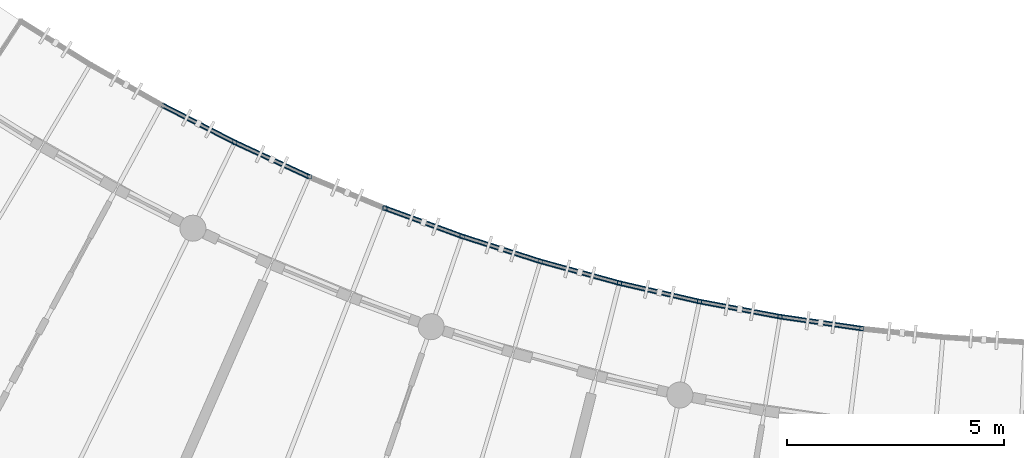
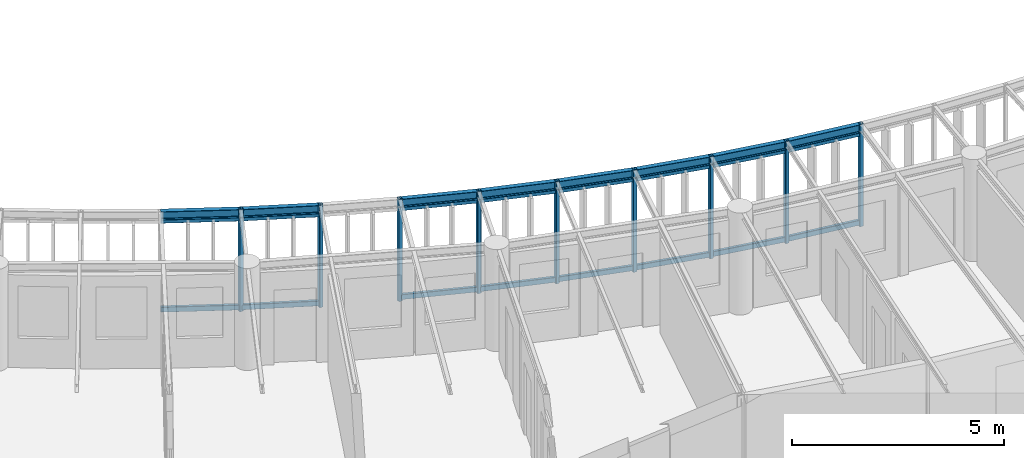
# One storey, part 9 of 101: 25 members, 8 beams.
"""IFC4 building model written with IfcOpenShell, lengths in metres."""

from ifc_helpers import new_model, si_unit, direction, frame, origin, origin_2d, place, context, subcontext, project, spatial, hollow_rectangle, i_section, extrude, material, material_profile, profile_set, type_object, element, save


model = new_model("IFC4")

# Units and contexts
model_context = context("Model", 3, precision=1e-05, world=origin(), true_north=direction((0.0, 1.0)))
body_context = subcontext(model_context, "Body", "Model", "MODEL_VIEW")
ifc_project = project(units=[si_unit("LENGTHUNIT", "METRE"), si_unit("AREAUNIT", "SQUARE_METRE"), si_unit("VOLUMEUNIT", "CUBIC_METRE"), si_unit("PLANEANGLEUNIT", "RADIAN"), si_unit("MASSUNIT", "GRAM", prefix="KILO"), si_unit("POWERUNIT", "WATT"), si_unit("THERMODYNAMICTEMPERATUREUNIT", "KELVIN")], contexts=[model_context])

# Site, building, storey
site_placement = place(None, origin())
site = spatial("IfcSite", under=ifc_project, at=site_placement, CompositionType="ELEMENT")
building_placement = place(site_placement, origin())
building = spatial("IfcBuilding", under=site, at=building_placement, Name="Ruvembo Vaulted Housing Court", CompositionType="ELEMENT")
storey_placement = place(building_placement, frame((0.0, 0.0, 17.300048828125)))
storey = spatial("IfcBuildingStorey", under=building, at=storey_placement, Name="L05", CompositionType="ELEMENT", Elevation=17.300048828125)

# Beams
ifc_material = material(Name="Steel S355J2", Category="steel")
ifc_material_profile_1 = material_profile(ifc_material, i_section(OverallWidth=0.1201171875, OverallDepth=0.239990234375, WebThickness=0.006103515625, FlangeThickness=0.009765625, FilletRadius=0.014892578125, at=origin_2d()), Name="IPE 240")
ifc_profile_set_1 = profile_set([ifc_material_profile_1], Name="Steel S355J2")
beam_type = type_object("IfcBeamType", Name="BM-ST-IPE240", PredefinedType="BEAM", material=ifc_profile_set_1)
for number, where, z_axis, x_axis, name in (
    (1, (47.241943359375, 21.6982421875, 2.81201171875), (0.889568437347, -0.45680192127, 0.0), (0.45680192127, 0.889568437347, 0.0), "Scoop SC2 L05 Balcony Edge Spandrel 2"),
    (2, (48.922607421875, 20.835205078125, 2.81201171875), (0.907656578832, -0.419713634403, 0.0), (0.419713634403, 0.907656578832, 0.0), "Scoop SC2 L05 Balcony Edge Spandrel 3"),
    (3, (52.38330078125, 19.320556640625, 2.81201171875), (0.939165556371, -0.343464783824, 0.0), (0.343464783824, 0.939165556371, 0.0), "Scoop SC2 L05 Balcony Edge Spandrel 5"),
):
    element("IfcBeam", number, at=place(storey_placement, frame(where, z_axis=z_axis, x_axis=x_axis)), inside=storey, type_object=beam_type, Name=name, PredefinedType="BEAM", context=body_context, shape_type="SweptSolid", body=[
        extrude(i_section(OverallWidth=0.1201171875, OverallDepth=0.239990234375, WebThickness=0.006103515625, FlangeThickness=0.009765625, FilletRadius=0.014892578125, at=origin_2d()), origin(), (0.0, 0.0, 1.0), 1.889404296875),
    ])
beam_1_placement = place(storey_placement, frame((54.15771484375, 18.671630859375, 2.81201171875), z_axis=(0.952526124364, -0.304456864605, 0.0), x_axis=(0.304456864605, 0.952526124364, 0.0)))
element("IfcBeam", 4, at=beam_1_placement, inside=storey, type_object=beam_type, Name="Scoop SC2 L05 Balcony Edge Spandrel 6", PredefinedType="BEAM", context=body_context, shape_type="SweptSolid", body=[
    extrude(i_section(OverallWidth=0.1201171875, OverallDepth=0.239990234375, WebThickness=0.006103515625, FlangeThickness=0.009765625, FilletRadius=0.014892578125, at=origin_2d()), origin(), (0.0, 0.0, 1.0), 1.88916015625),
])
beam_2_placement = place(storey_placement, frame((55.957275390625, 18.096435546875, 2.81201171875), z_axis=(0.964240073493, -0.26503033915, 0.0), x_axis=(0.26503033915, 0.964240073493, 0.0)))
element("IfcBeam", 5, at=beam_2_placement, inside=storey, type_object=beam_type, Name="Scoop SC2 L05 Balcony Edge Spandrel 7", PredefinedType="BEAM", context=body_context, shape_type="SweptSolid", body=[
    extrude(i_section(OverallWidth=0.1201171875, OverallDepth=0.239990234375, WebThickness=0.006103515625, FlangeThickness=0.009765625, FilletRadius=0.014892578125, at=origin_2d()), origin(), (0.0, 0.0, 1.0), 1.889404296875),
])
beam_3_placement = place(storey_placement, frame((57.779052734375, 17.595703125, 2.81201171875), z_axis=(0.974391195695, -0.224859506699, 0.0), x_axis=(0.224859506699, 0.974391195695, 0.0)))
element("IfcBeam", 6, at=beam_3_placement, inside=storey, type_object=beam_type, Name="Scoop SC2 L05 Balcony Edge Spandrel 8", PredefinedType="BEAM", context=body_context, shape_type="SweptSolid", body=[
    extrude(i_section(OverallWidth=0.1201171875, OverallDepth=0.239990234375, WebThickness=0.006103515625, FlangeThickness=0.009765625, FilletRadius=0.014892578125, at=origin_2d()), origin(), (0.0, 0.0, 1.0), 1.88916015625),
])
beam_4_placement = place(storey_placement, frame((59.619873046875, 17.1708984375, 2.81201171875), z_axis=(0.982804832401, -0.184647397515, 0.0), x_axis=(0.184647397515, 0.982804832401, 0.0)))
element("IfcBeam", 7, at=beam_4_placement, inside=storey, type_object=beam_type, Name="Scoop SC2 L05 Balcony Edge Spandrel 9", PredefinedType="BEAM", context=body_context, shape_type="SweptSolid", body=[
    extrude(i_section(OverallWidth=0.1201171875, OverallDepth=0.239990234375, WebThickness=0.006103515625, FlangeThickness=0.009765625, FilletRadius=0.014892578125, at=origin_2d()), origin(), (0.0, 0.0, 1.0), 1.889404296875),
])
beam_5_placement = place(storey_placement, frame((61.476806640625, 16.822021484375, 2.81201171875), z_axis=(0.989600158039, -0.143845497701, 0.0), x_axis=(0.143845497701, 0.989600158039, 0.0)))
element("IfcBeam", 8, at=beam_5_placement, inside=storey, type_object=beam_type, Name="Scoop SC2 L05 Balcony Edge Spandrel 10", PredefinedType="BEAM", context=body_context, shape_type="SweptSolid", body=[
    extrude(i_section(OverallWidth=0.1201171875, OverallDepth=0.239990234375, WebThickness=0.006103515625, FlangeThickness=0.009765625, FilletRadius=0.014892578125, at=origin_2d()), origin(), (0.0, 0.0, 1.0), 1.888916015625),
])

# Members
ifc_material_profile_2 = material_profile(ifc_material, hollow_rectangle(XDim=0.06005859375, YDim=0.1201171875, WallThickness=0.0048828125, InnerFilletRadius=0.0048828125, OuterFilletRadius=0.010009765625, at=origin_2d()), Name="RHS 120x60x5")
ifc_profile_set_2 = profile_set([ifc_material_profile_2], Name="Steel S355J2")
member_type_1 = type_object("IfcMemberType", Name="MEM-CAR-RHS120", PredefinedType="CHORD", material=ifc_profile_set_2)
for number, where, z_axis, x_axis, name in (
    (9, (47.241943359375, 21.6982421875, 2.635009765625), (0.889568437347, -0.45680192127, 0.0), (0.45680192127, 0.889568437347, 0.0), "Scoop SC2 L05 Upper Louvre Carrier Rail 2"),
    (10, (48.922607421875, 20.835205078125, 2.635009765625), (0.907656578832, -0.419713634403, 0.0), (0.419713634403, 0.907656578832, 0.0), "Scoop SC2 L05 Upper Louvre Carrier Rail 3"),
    (11, (52.38330078125, 19.320556640625, 2.635009765625), (0.939165556371, -0.343464783824, 0.0), (0.343464783824, 0.939165556371, 0.0), "Scoop SC2 L05 Upper Louvre Carrier Rail 5"),
):
    element("IfcMember", number, at=place(storey_placement, frame(where, z_axis=z_axis, x_axis=x_axis)), inside=storey, type_object=member_type_1, Name=name, PredefinedType="CHORD", context=body_context, shape_type="SweptSolid", body=[
        extrude(hollow_rectangle(XDim=0.06005859375, YDim=0.1201171875, WallThickness=0.0048828125, InnerFilletRadius=0.0048828125, OuterFilletRadius=0.010009765625, at=origin_2d()), origin(), (0.0, 0.0, 1.0), 1.889404296875),
    ])
member_1_placement = place(storey_placement, frame((54.15771484375, 18.671630859375, 2.635009765625), z_axis=(0.952526124364, -0.304456864605, 0.0), x_axis=(0.304456864605, 0.952526124364, 0.0)))
element("IfcMember", 12, at=member_1_placement, inside=storey, type_object=member_type_1, Name="Scoop SC2 L05 Upper Louvre Carrier Rail 6", PredefinedType="CHORD", context=body_context, shape_type="SweptSolid", body=[
    extrude(hollow_rectangle(XDim=0.06005859375, YDim=0.1201171875, WallThickness=0.0048828125, InnerFilletRadius=0.0048828125, OuterFilletRadius=0.010009765625, at=origin_2d()), origin(), (0.0, 0.0, 1.0), 1.88916015625),
])
member_2_placement = place(storey_placement, frame((55.957275390625, 18.096435546875, 2.635009765625), z_axis=(0.964240073493, -0.26503033915, 0.0), x_axis=(0.26503033915, 0.964240073493, 0.0)))
element("IfcMember", 13, at=member_2_placement, inside=storey, type_object=member_type_1, Name="Scoop SC2 L05 Upper Louvre Carrier Rail 7", PredefinedType="CHORD", context=body_context, shape_type="SweptSolid", body=[
    extrude(hollow_rectangle(XDim=0.06005859375, YDim=0.1201171875, WallThickness=0.0048828125, InnerFilletRadius=0.0048828125, OuterFilletRadius=0.010009765625, at=origin_2d()), origin(), (0.0, 0.0, 1.0), 1.889404296875),
])
member_3_placement = place(storey_placement, frame((57.779052734375, 17.595703125, 2.635009765625), z_axis=(0.974391195695, -0.224859506699, 0.0), x_axis=(0.224859506699, 0.974391195695, 0.0)))
element("IfcMember", 14, at=member_3_placement, inside=storey, type_object=member_type_1, Name="Scoop SC2 L05 Upper Louvre Carrier Rail 8", PredefinedType="CHORD", context=body_context, shape_type="SweptSolid", body=[
    extrude(hollow_rectangle(XDim=0.06005859375, YDim=0.1201171875, WallThickness=0.0048828125, InnerFilletRadius=0.0048828125, OuterFilletRadius=0.010009765625, at=origin_2d()), origin(), (0.0, 0.0, 1.0), 1.88916015625),
])
member_4_placement = place(storey_placement, frame((59.619873046875, 17.1708984375, 2.635009765625), z_axis=(0.982804832401, -0.184647397515, 0.0), x_axis=(0.184647397515, 0.982804832401, 0.0)))
element("IfcMember", 15, at=member_4_placement, inside=storey, type_object=member_type_1, Name="Scoop SC2 L05 Upper Louvre Carrier Rail 9", PredefinedType="CHORD", context=body_context, shape_type="SweptSolid", body=[
    extrude(hollow_rectangle(XDim=0.06005859375, YDim=0.1201171875, WallThickness=0.0048828125, InnerFilletRadius=0.0048828125, OuterFilletRadius=0.010009765625, at=origin_2d()), origin(), (0.0, 0.0, 1.0), 1.889404296875),
])
member_5_placement = place(storey_placement, frame((61.476806640625, 16.822021484375, 2.635009765625), z_axis=(0.989600158039, -0.143845497701, 0.0), x_axis=(0.143845497701, 0.989600158039, 0.0)))
element("IfcMember", 16, at=member_5_placement, inside=storey, type_object=member_type_1, Name="Scoop SC2 L05 Upper Louvre Carrier Rail 10", PredefinedType="CHORD", context=body_context, shape_type="SweptSolid", body=[
    extrude(hollow_rectangle(XDim=0.06005859375, YDim=0.1201171875, WallThickness=0.0048828125, InnerFilletRadius=0.0048828125, OuterFilletRadius=0.010009765625, at=origin_2d()), origin(), (0.0, 0.0, 1.0), 1.888916015625),
])
ifc_material_profile_3 = material_profile(ifc_material, hollow_rectangle(XDim=0.080078125, YDim=0.14990234375, WallThickness=0.00634765625, InnerFilletRadius=0.00634765625, OuterFilletRadius=0.0126953125, at=origin_2d()), Name="RHS 150x80x6.3")
ifc_profile_set_3 = profile_set([ifc_material_profile_3], Name="Steel S355J2")
member_type_2 = type_object("IfcMemberType", Name="MEM-CAR-RHS150", PredefinedType="CHORD", material=ifc_profile_set_3)
for number, where, z_axis, x_axis, name in (
    (17, (47.241943359375, 21.6982421875, 0.094970703125), (0.889568437347, -0.45680192127, 0.0), (0.45680192127, 0.889568437347, 0.0), "Scoop SC2 L05 Lower Louvre Carrier Rail 2"),
    (18, (48.922607421875, 20.835205078125, 0.094970703125), (0.907656578832, -0.419713634403, 0.0), (0.419713634403, 0.907656578832, 0.0), "Scoop SC2 L05 Lower Louvre Carrier Rail 3"),
    (19, (52.38330078125, 19.320556640625, 0.094970703125), (0.939165556371, -0.343464783824, 0.0), (0.343464783824, 0.939165556371, 0.0), "Scoop SC2 L05 Lower Louvre Carrier Rail 5"),
):
    element("IfcMember", number, at=place(storey_placement, frame(where, z_axis=z_axis, x_axis=x_axis)), inside=storey, type_object=member_type_2, Name=name, PredefinedType="CHORD", context=body_context, shape_type="SweptSolid", body=[
        extrude(hollow_rectangle(XDim=0.080078125, YDim=0.14990234375, WallThickness=0.00634765625, InnerFilletRadius=0.00634765625, OuterFilletRadius=0.0126953125, at=origin_2d()), origin(), (0.0, 0.0, 1.0), 1.889404296875),
    ])
member_6_placement = place(storey_placement, frame((54.15771484375, 18.671630859375, 0.094970703125), z_axis=(0.952526124364, -0.304456864605, 0.0), x_axis=(0.304456864605, 0.952526124364, 0.0)))
element("IfcMember", 20, at=member_6_placement, inside=storey, type_object=member_type_2, Name="Scoop SC2 L05 Lower Louvre Carrier Rail 6", PredefinedType="CHORD", context=body_context, shape_type="SweptSolid", body=[
    extrude(hollow_rectangle(XDim=0.080078125, YDim=0.14990234375, WallThickness=0.00634765625, InnerFilletRadius=0.00634765625, OuterFilletRadius=0.0126953125, at=origin_2d()), origin(), (0.0, 0.0, 1.0), 1.88916015625),
])
member_7_placement = place(storey_placement, frame((55.957275390625, 18.096435546875, 0.094970703125), z_axis=(0.964240073493, -0.26503033915, 0.0), x_axis=(0.26503033915, 0.964240073493, 0.0)))
element("IfcMember", 21, at=member_7_placement, inside=storey, type_object=member_type_2, Name="Scoop SC2 L05 Lower Louvre Carrier Rail 7", PredefinedType="CHORD", context=body_context, shape_type="SweptSolid", body=[
    extrude(hollow_rectangle(XDim=0.080078125, YDim=0.14990234375, WallThickness=0.00634765625, InnerFilletRadius=0.00634765625, OuterFilletRadius=0.0126953125, at=origin_2d()), origin(), (0.0, 0.0, 1.0), 1.889404296875),
])
member_8_placement = place(storey_placement, frame((57.779052734375, 17.595703125, 0.094970703125), z_axis=(0.974391195695, -0.224859506699, 0.0), x_axis=(0.224859506699, 0.974391195695, 0.0)))
element("IfcMember", 22, at=member_8_placement, inside=storey, type_object=member_type_2, Name="Scoop SC2 L05 Lower Louvre Carrier Rail 8", PredefinedType="CHORD", context=body_context, shape_type="SweptSolid", body=[
    extrude(hollow_rectangle(XDim=0.080078125, YDim=0.14990234375, WallThickness=0.00634765625, InnerFilletRadius=0.00634765625, OuterFilletRadius=0.0126953125, at=origin_2d()), origin(), (0.0, 0.0, 1.0), 1.88916015625),
])
member_9_placement = place(storey_placement, frame((59.619873046875, 17.1708984375, 0.094970703125), z_axis=(0.982804832401, -0.184647397515, 0.0), x_axis=(0.184647397515, 0.982804832401, 0.0)))
element("IfcMember", 23, at=member_9_placement, inside=storey, type_object=member_type_2, Name="Scoop SC2 L05 Lower Louvre Carrier Rail 9", PredefinedType="CHORD", context=body_context, shape_type="SweptSolid", body=[
    extrude(hollow_rectangle(XDim=0.080078125, YDim=0.14990234375, WallThickness=0.00634765625, InnerFilletRadius=0.00634765625, OuterFilletRadius=0.0126953125, at=origin_2d()), origin(), (0.0, 0.0, 1.0), 1.889404296875),
])
member_10_placement = place(storey_placement, frame((61.476806640625, 16.822021484375, 0.094970703125), z_axis=(0.989600158039, -0.143845497701, 0.0), x_axis=(0.143845497701, 0.989600158039, 0.0)))
element("IfcMember", 24, at=member_10_placement, inside=storey, type_object=member_type_2, Name="Scoop SC2 L05 Lower Louvre Carrier Rail 10", PredefinedType="CHORD", context=body_context, shape_type="SweptSolid", body=[
    extrude(hollow_rectangle(XDim=0.080078125, YDim=0.14990234375, WallThickness=0.00634765625, InnerFilletRadius=0.00634765625, OuterFilletRadius=0.0126953125, at=origin_2d()), origin(), (0.0, 0.0, 1.0), 1.888916015625),
])
ifc_material_profile_4 = material_profile(ifc_material, hollow_rectangle(XDim=0.10009765625, YDim=0.10009765625, WallThickness=0.00634765625, InnerFilletRadius=0.00634765625, OuterFilletRadius=0.0126953125, at=origin_2d()), Name="SHS 100x100x6.3")
ifc_profile_set_4 = profile_set([ifc_material_profile_4], Name="Steel S355J2")
member_type_3 = type_object("IfcMemberType", Name="MEM-FRM-SHS100", PredefinedType="STRUT", material=ifc_profile_set_4)
for number, where, z_axis, x_axis, name in (
    (25, (48.922607421875, 20.835205078125, -0.01513671875), (0.0, 0.0, 1.0), (1.0, 0.0, 0.0), "Scoop SC2 L05 Louvre Frame Post 3"),
    (26, (50.637451171875, 20.042236328125, -0.01513671875), (0.0, 0.0, 1.0), (1.0, 0.0, 0.0), "Scoop SC2 L05 Louvre Frame Post 4"),
    (27, (52.38330078125, 19.320556640625, -0.01513671875), (0.0, 0.0, 1.0), (1.0, 0.0, 0.0), "Scoop SC2 L05 Louvre Frame Post 5"),
    (28, (54.15771484375, 18.671630859375, -0.01513671875), (0.0, 0.0, 1.0), (1.0, 0.0, 0.0), "Scoop SC2 L05 Louvre Frame Post 6"),
    (29, (55.957275390625, 18.096435546875, -0.01513671875), (0.0, 0.0, 1.0), (1.0, 0.0, 0.0), "Scoop SC2 L05 Louvre Frame Post 7"),
    (30, (57.779052734375, 17.595703125, -0.01513671875), (0.0, 0.0, 1.0), (1.0, 0.0, 0.0), "Scoop SC2 L05 Louvre Frame Post 8"),
    (31, (59.619873046875, 17.1708984375, -0.01513671875), (0.0, 0.0, 1.0), (1.0, 0.0, 0.0), "Scoop SC2 L05 Louvre Frame Post 9"),
    (32, (61.476806640625, 16.822021484375, -0.01513671875), (0.0, 0.0, 1.0), (1.0, 0.0, 0.0), "Scoop SC2 L05 Louvre Frame Post 10"),
    (33, (63.34619140625, 16.55029296875, -0.01513671875), (0.0, 0.0, 1.0), (1.0, 0.0, 0.0), "Scoop SC2 L05 Louvre Frame Post 11"),
):
    element("IfcMember", number, at=place(storey_placement, frame(where, z_axis=z_axis, x_axis=x_axis)), inside=storey, type_object=member_type_3, Name=name, PredefinedType="STRUT", context=body_context, shape_type="SweptSolid", body=[
        extrude(hollow_rectangle(XDim=0.10009765625, YDim=0.10009765625, WallThickness=0.00634765625, InnerFilletRadius=0.00634765625, OuterFilletRadius=0.0126953125, at=origin_2d()), origin(), (0.0, 0.0, 1.0), 2.953125),
    ])

save(model, "model.ifc")
